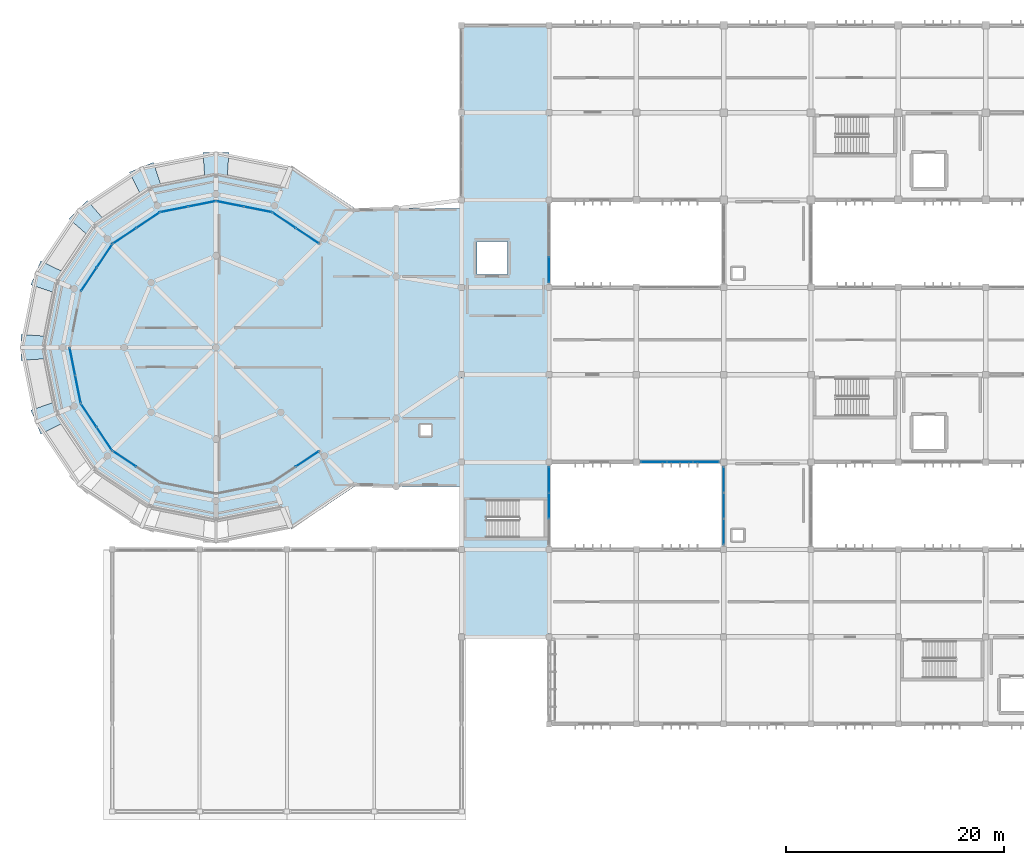
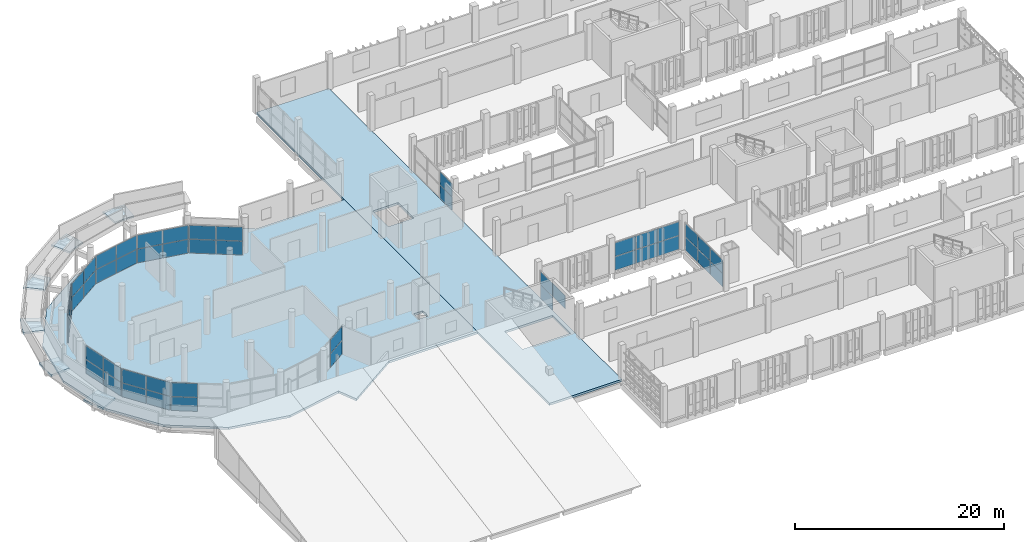
# One storey, part 57 of 83: 49 plates, 8 slabs, 14 elements without a shape of their own.
"""IFC4 building model written with IfcOpenShell, lengths in metres."""

from ifc_helpers import new_model, si_unit, direction, frame, origin, origin_2d, place, context, subcontext, project, spatial, polyline, rectangle, outline, extrude, material, layer, layer_set, type_object, element, aggregate, save


model = new_model("IFC4")

# Units and contexts
model_context = context("Model", 3, precision=1e-05, world=origin(), true_north=direction((0.0, 1.0)))
body_context = subcontext(model_context, "Body", "Model", "MODEL_VIEW")
ifc_project = project(units=[si_unit("LENGTHUNIT", "METRE"), si_unit("AREAUNIT", "SQUARE_METRE"), si_unit("VOLUMEUNIT", "CUBIC_METRE"), si_unit("PLANEANGLEUNIT", "RADIAN"), si_unit("MASSUNIT", "GRAM", prefix="KILO")], contexts=[model_context])

# Site, building, storey
site_placement = place(None, origin())
site = spatial("IfcSite", under=ifc_project, at=site_placement, CompositionType="ELEMENT")
building_placement = place(site_placement, origin())
building = spatial("IfcBuilding", under=site, at=building_placement, Name="Jelvoka-Kovrelna Polytechnic", CompositionType="ELEMENT")
storey_placement = place(building_placement, frame((0.0, 0.0, 13.800048828125)))
storey = spatial("IfcBuildingStorey", under=building, at=storey_placement, Name="L04", CompositionType="ELEMENT", Elevation=13.800048828125)

# Curtain wall, plates
ifc_material_1 = material(Name="Anodised aluminium 6063-T6", Category="aluminium")
ifc_layer_1 = layer(ifc_material_1, 0.159912109375)
ifc_layer_set_1 = layer_set([ifc_layer_1], Name="Anodised aluminium 6063-T6")
curtain_wall_type_1 = type_object("IfcCurtainWallType", Name="CW_Recessed_A", PredefinedType="NOTDEFINED", material=ifc_layer_set_1)
curtain_wall_1_placement = place(storey_placement, origin())
curtain_wall_1 = element("IfcCurtainWall", 1, at=curtain_wall_1_placement, inside=storey, type_object=curtain_wall_type_1, Name="L04 glazed curtain wall 027", PredefinedType="NOTDEFINED")
ifc_material_2 = material(Name="Solar-control double glazing", Category="glass")
ifc_layer_2 = layer(ifc_material_2, 0.028076171875)
ifc_layer_set_2 = layer_set([ifc_layer_2], Name="Solar-control double glazing")
plate_type_1 = type_object("IfcPlateType", Name="Panel_GP-01", PredefinedType="CURTAIN_PANEL", material=ifc_layer_set_2)
plate_1_placement = place(storey_placement, frame((70.385009765625, 32.0, 0.052001953125), z_axis=(0.0, 0.0, 1.0), x_axis=(-1.0, 0.0, 0.0)))
plate_1 = element("IfcPlate", 2, at=plate_1_placement, type_object=plate_type_1, Name="CW-01 panel 1.1", PredefinedType="CURTAIN_PANEL", context=body_context, shape_type="SweptSolid", body=[
    extrude(rectangle(XDim=2.326171875, YDim=0.028076171875, at=origin_2d()), origin(), (0.0, 0.0, 1.0), 1.588623046875),
])
plate_2_placement = place(storey_placement, frame((70.385009765625, 32.0, 1.684326171875), z_axis=(0.0, 0.0, 1.0), x_axis=(-1.0, 0.0, 0.0)))
plate_2 = element("IfcPlate", 3, at=plate_2_placement, type_object=plate_type_1, Name="CW-01 panel 1.2", PredefinedType="CURTAIN_PANEL", context=body_context, shape_type="SweptSolid", body=[
    extrude(rectangle(XDim=2.326171875, YDim=0.028076171875, at=origin_2d()), origin(), (0.0, 0.0, 1.0), 1.588623046875),
])
plate_3_placement = place(storey_placement, frame((68.0, 32.0, 0.052001953125), z_axis=(0.0, 0.0, 1.0), x_axis=(-1.0, 0.0, 0.0)))
plate_3 = element("IfcPlate", 4, at=plate_3_placement, type_object=plate_type_1, Name="CW-01 panel 2.1", PredefinedType="CURTAIN_PANEL", context=body_context, shape_type="SweptSolid", body=[
    extrude(rectangle(XDim=2.356201171875, YDim=0.028076171875, at=origin_2d()), origin(), (0.0, 0.0, 1.0), 1.588623046875),
])
plate_4_placement = place(storey_placement, frame((68.0, 32.0, 1.684326171875), z_axis=(0.0, 0.0, 1.0), x_axis=(-1.0, 0.0, 0.0)))
plate_4 = element("IfcPlate", 5, at=plate_4_placement, type_object=plate_type_1, Name="CW-01 panel 2.2", PredefinedType="CURTAIN_PANEL", context=body_context, shape_type="SweptSolid", body=[
    extrude(rectangle(XDim=2.356201171875, YDim=0.028076171875, at=origin_2d()), origin(), (0.0, 0.0, 1.0), 1.588623046875),
])
plate_5_placement = place(storey_placement, frame((65.614990234375, 32.0, 0.052001953125), z_axis=(0.0, 0.0, 1.0), x_axis=(-1.0, 0.0, 0.0)))
plate_5 = element("IfcPlate", 6, at=plate_5_placement, type_object=plate_type_1, Name="CW-01 panel 3.1", PredefinedType="CURTAIN_PANEL", context=body_context, shape_type="SweptSolid", body=[
    extrude(rectangle(XDim=2.326171875, YDim=0.028076171875, at=origin_2d()), origin(), (0.0, 0.0, 1.0), 1.588623046875),
])
plate_6_placement = place(storey_placement, frame((65.614990234375, 32.0, 1.684326171875), z_axis=(0.0, 0.0, 1.0), x_axis=(-1.0, 0.0, 0.0)))
plate_6 = element("IfcPlate", 7, at=plate_6_placement, type_object=plate_type_1, Name="CW-01 panel 3.2", PredefinedType="CURTAIN_PANEL", context=body_context, shape_type="SweptSolid", body=[
    extrude(rectangle(XDim=2.326171875, YDim=0.028076171875, at=origin_2d()), origin(), (0.0, 0.0, 1.0), 1.588623046875),
])
aggregate(curtain_wall_1, [plate_1, plate_2, plate_3, plate_4, plate_5, plate_6])

ifc_material_3 = material(Name="Anodised aluminium 6063-T6", Category="aluminium")
ifc_layer_3 = layer(ifc_material_3, 0.159912109375)
ifc_layer_set_3 = layer_set([ifc_layer_3], Name="Anodised aluminium 6063-T6")
curtain_wall_type_2 = type_object("IfcCurtainWallType", Name="CW_LinkBridge", PredefinedType="NOTDEFINED", material=ifc_layer_set_3)
curtain_wall_2_placement = place(storey_placement, origin())
curtain_wall_2 = element("IfcCurtainWall", 8, at=curtain_wall_2_placement, inside=storey, type_object=curtain_wall_type_2, Name="L04 glazed curtain wall 136", PredefinedType="NOTDEFINED")
ifc_material_4 = material(Name="Solar-control double glazing", Category="glass")
ifc_layer_4 = layer(ifc_material_4, 0.02392578125)
ifc_layer_set_4 = layer_set([ifc_layer_4], Name="Solar-control double glazing")
plate_type_2 = type_object("IfcPlateType", Name="Panel_GP-04", PredefinedType="CURTAIN_PANEL", material=ifc_layer_set_4)
plate_7_placement = place(storey_placement, frame((72.0, 25.614990234375, 0.052001953125), z_axis=(0.0, 0.0, 1.0), x_axis=(0.0, 1.0, 0.0)))
plate_7 = element("IfcPlate", 9, at=plate_7_placement, type_object=plate_type_2, Name="CW-04 panel 1.1", PredefinedType="CURTAIN_PANEL", context=body_context, shape_type="SweptSolid", body=[
    extrude(rectangle(XDim=2.326171875, YDim=0.02392578125, at=origin_2d()), origin(), (0.0, 0.0, 1.0), 1.53857421875),
])
plate_8_placement = place(storey_placement, frame((72.0, 25.614990234375, 1.634521484375), z_axis=(0.0, 0.0, 1.0), x_axis=(0.0, 1.0, 0.0)))
plate_8 = element("IfcPlate", 10, at=plate_8_placement, type_object=plate_type_2, Name="CW-04 panel 1.2", PredefinedType="CURTAIN_PANEL", context=body_context, shape_type="SweptSolid", body=[
    extrude(rectangle(XDim=2.326171875, YDim=0.02392578125, at=origin_2d()), origin(), (0.0, 0.0, 1.0), 1.53857421875),
])
plate_9_placement = place(storey_placement, frame((72.0, 28.0, 0.052001953125), z_axis=(0.0, 0.0, 1.0), x_axis=(0.0, 1.0, 0.0)))
plate_9 = element("IfcPlate", 11, at=plate_9_placement, type_object=plate_type_2, Name="CW-04 panel 2.1", PredefinedType="CURTAIN_PANEL", context=body_context, shape_type="SweptSolid", body=[
    extrude(rectangle(XDim=2.356201171875, YDim=0.02392578125, at=origin_2d()), origin(), (0.0, 0.0, 1.0), 1.53857421875),
])
plate_10_placement = place(storey_placement, frame((72.0, 28.0, 1.634521484375), z_axis=(0.0, 0.0, 1.0), x_axis=(0.0, 1.0, 0.0)))
plate_10 = element("IfcPlate", 12, at=plate_10_placement, type_object=plate_type_2, Name="CW-04 panel 2.2", PredefinedType="CURTAIN_PANEL", context=body_context, shape_type="SweptSolid", body=[
    extrude(rectangle(XDim=2.356201171875, YDim=0.02392578125, at=origin_2d()), origin(), (0.0, 0.0, 1.0), 1.53857421875),
])
plate_11_placement = place(storey_placement, frame((72.0, 30.385009765625, 0.052001953125), z_axis=(0.0, 0.0, 1.0), x_axis=(0.0, 1.0, 0.0)))
plate_11 = element("IfcPlate", 13, at=plate_11_placement, type_object=plate_type_2, Name="CW-04 panel 3.1", PredefinedType="CURTAIN_PANEL", context=body_context, shape_type="SweptSolid", body=[
    extrude(rectangle(XDim=2.326171875, YDim=0.02392578125, at=origin_2d()), origin(), (0.0, 0.0, 1.0), 1.53857421875),
])
plate_12_placement = place(storey_placement, frame((72.0, 30.385009765625, 1.634521484375), z_axis=(0.0, 0.0, 1.0), x_axis=(0.0, 1.0, 0.0)))
plate_12 = element("IfcPlate", 14, at=plate_12_placement, type_object=plate_type_2, Name="CW-04 panel 3.2", PredefinedType="CURTAIN_PANEL", context=body_context, shape_type="SweptSolid", body=[
    extrude(rectangle(XDim=2.326171875, YDim=0.02392578125, at=origin_2d()), origin(), (0.0, 0.0, 1.0), 1.53857421875),
])
aggregate(curtain_wall_2, [plate_7, plate_8, plate_9, plate_10, plate_11, plate_12])

ifc_material_5 = material(Name="Anodised aluminium 6063-T6", Category="aluminium")
ifc_layer_5 = layer(ifc_material_5, 0.179931640625)
ifc_layer_set_5 = layer_set([ifc_layer_5], Name="Anodised aluminium 6063-T6")
curtain_wall_type_3 = type_object("IfcCurtainWallType", Name="CW_Pavilion", PredefinedType="NOTDEFINED", material=ifc_layer_set_5)
curtain_wall_3_placement = place(storey_placement, origin())
curtain_wall_3 = element("IfcCurtainWall", 15, at=curtain_wall_3_placement, inside=storey, type_object=curtain_wall_type_3, Name="L04 glazed curtain wall 140", PredefinedType="NOTDEFINED")
ifc_material_6 = material(Name="Solar-control double glazing", Category="glass")
ifc_layer_6 = layer(ifc_material_6, 0.030029296875)
ifc_layer_set_6 = layer_set([ifc_layer_6], Name="Solar-control double glazing")
plate_type_3 = type_object("IfcPlateType", Name="Panel_GP-05", PredefinedType="CURTAIN_PANEL", material=ifc_layer_set_6)
plate_13_placement = place(storey_placement, frame((56.0, 30.3837890625, 0.056884765625), z_axis=(0.0, 0.0, 1.0), x_axis=(0.0, -1.0, 0.0)))
plate_13 = element("IfcPlate", 16, at=plate_13_placement, type_object=plate_type_3, Name="CW-05 panel 1.1", PredefinedType="CURTAIN_PANEL", context=body_context, shape_type="SweptSolid", body=[
    extrude(rectangle(XDim=2.318603515625, YDim=0.030029296875, at=origin_2d()), origin(), (0.0, 0.0, 1.0), 1.531005859375),
])
plate_14_placement = place(storey_placement, frame((56.0, 30.3837890625, 1.636962890625), z_axis=(0.0, 0.0, 1.0), x_axis=(0.0, -1.0, 0.0)))
plate_14 = element("IfcPlate", 17, at=plate_14_placement, type_object=plate_type_3, Name="CW-05 panel 1.2", PredefinedType="CURTAIN_PANEL", context=body_context, shape_type="SweptSolid", body=[
    extrude(rectangle(XDim=2.318603515625, YDim=0.030029296875, at=origin_2d()), origin(), (0.0, 0.0, 1.0), 1.531005859375),
])
plate_15_placement = place(storey_placement, frame((56.0, 28.0, 1.636962890625), z_axis=(0.0, 0.0, 1.0), x_axis=(0.0, -1.0, 0.0)))
plate_15 = element("IfcPlate", 18, at=plate_15_placement, type_object=plate_type_3, Name="CW-05 panel 2.2", PredefinedType="CURTAIN_PANEL", context=body_context, shape_type="SweptSolid", body=[
    extrude(rectangle(XDim=2.35107421875, YDim=0.030029296875, at=origin_2d()), origin(), (0.0, 0.0, 1.0), 1.531005859375),
])
aggregate(curtain_wall_3, [plate_13, plate_14, plate_15])

curtain_wall_4_placement = place(storey_placement, origin())
curtain_wall_4 = element("IfcCurtainWall", 19, at=curtain_wall_4_placement, inside=storey, type_object=curtain_wall_type_3, Name="L04 glazed curtain wall 141", PredefinedType="NOTDEFINED")
plate_16_placement = place(storey_placement, frame((56.0, 49.6162109375, 0.056884765625), z_axis=(0.0, 0.0, 1.0), x_axis=(0.0, -1.0, 0.0)))
plate_16 = element("IfcPlate", 20, at=plate_16_placement, type_object=plate_type_3, Name="CW-05 panel 3.1", PredefinedType="CURTAIN_PANEL", context=body_context, shape_type="SweptSolid", body=[
    extrude(rectangle(XDim=2.318603515625, YDim=0.030029296875, at=origin_2d()), origin(), (0.0, 0.0, 1.0), 1.531005859375),
])
plate_17_placement = place(storey_placement, frame((56.0, 49.6162109375, 1.636962890625), z_axis=(0.0, 0.0, 1.0), x_axis=(0.0, -1.0, 0.0)))
plate_17 = element("IfcPlate", 21, at=plate_17_placement, type_object=plate_type_3, Name="CW-05 panel 3.2", PredefinedType="CURTAIN_PANEL", context=body_context, shape_type="SweptSolid", body=[
    extrude(rectangle(XDim=2.318603515625, YDim=0.030029296875, at=origin_2d()), origin(), (0.0, 0.0, 1.0), 1.531005859375),
])
aggregate(curtain_wall_4, [plate_16, plate_17])

curtain_wall_5_placement = place(storey_placement, origin())
curtain_wall_5 = element("IfcCurtainWall", 22, at=curtain_wall_5_placement, inside=storey, type_object=curtain_wall_type_3, Name="L04 glazed curtain wall 244", PredefinedType="NOTDEFINED")
plate_18_placement = place(storey_placement, frame((31.728271484375, 54.144775390625, 0.056884765625), z_axis=(0.0, 0.0, 1.0), x_axis=(0.83146132254, -0.555582639326, 0.0)))
plate_18 = element("IfcPlate", 23, at=plate_18_placement, type_object=plate_type_3, Name="CW-05 panel 1.1", PredefinedType="CURTAIN_PANEL", context=body_context, shape_type="SweptSolid", body=[
    extrude(rectangle(XDim=2.53271484375, YDim=0.030029296875, at=origin_2d()), origin(), (0.0, 0.0, 1.0), 1.593505859375),
])
plate_19_placement = place(storey_placement, frame((31.728271484375, 54.144775390625, 1.699462890625), z_axis=(0.0, 0.0, 1.0), x_axis=(0.83146132254, -0.555582639326, 0.0)))
plate_19 = element("IfcPlate", 24, at=plate_19_placement, type_object=plate_type_3, Name="CW-05 panel 1.2", PredefinedType="CURTAIN_PANEL", context=body_context, shape_type="SweptSolid", body=[
    extrude(rectangle(XDim=2.53271484375, YDim=0.030029296875, at=origin_2d()), origin(), (0.0, 0.0, 1.0), 1.593505859375),
])
plate_20_placement = place(storey_placement, frame((33.875, 52.71044921875, 0.056884765625), z_axis=(0.0, 0.0, 1.0), x_axis=(0.83146132254, -0.555582639326, 0.0)))
plate_20 = element("IfcPlate", 25, at=plate_20_placement, type_object=plate_type_3, Name="CW-05 panel 2.1", PredefinedType="CURTAIN_PANEL", context=body_context, shape_type="SweptSolid", body=[
    extrude(rectangle(XDim=2.53271484375, YDim=0.030029296875, at=origin_2d()), origin(), (0.0, 0.0, 1.0), 1.593505859375),
])
plate_21_placement = place(storey_placement, frame((33.875, 52.71044921875, 1.699462890625), z_axis=(0.0, 0.0, 1.0), x_axis=(0.83146132254, -0.555582639326, 0.0)))
plate_21 = element("IfcPlate", 26, at=plate_21_placement, type_object=plate_type_3, Name="CW-05 panel 2.2", PredefinedType="CURTAIN_PANEL", context=body_context, shape_type="SweptSolid", body=[
    extrude(rectangle(XDim=2.53271484375, YDim=0.030029296875, at=origin_2d()), origin(), (0.0, 0.0, 1.0), 1.593505859375),
])
aggregate(curtain_wall_5, [plate_18, plate_19, plate_20, plate_21])

curtain_wall_6_placement = place(storey_placement, origin())
curtain_wall_6 = element("IfcCurtainWall", 27, at=curtain_wall_6_placement, inside=storey, type_object=curtain_wall_type_3, Name="L04 glazed curtain wall 245", PredefinedType="NOTDEFINED")
plate_22_placement = place(storey_placement, frame((26.7978515625, 55.641845703125, 0.056884765625), z_axis=(0.0, 0.0, 1.0), x_axis=(0.980786108197, -0.195086160371, 0.0)))
plate_22 = element("IfcPlate", 28, at=plate_22_placement, type_object=plate_type_3, Name="CW-05 panel 1.1", PredefinedType="CURTAIN_PANEL", context=body_context, shape_type="SweptSolid", body=[
    extrude(rectangle(XDim=2.532958984375, YDim=0.030029296875, at=origin_2d()), origin(), (0.0, 0.0, 1.0), 1.593505859375),
])
plate_23_placement = place(storey_placement, frame((26.7978515625, 55.641845703125, 1.699462890625), z_axis=(0.0, 0.0, 1.0), x_axis=(0.980786108197, -0.195086160371, 0.0)))
plate_23 = element("IfcPlate", 29, at=plate_23_placement, type_object=plate_type_3, Name="CW-05 panel 1.2", PredefinedType="CURTAIN_PANEL", context=body_context, shape_type="SweptSolid", body=[
    extrude(rectangle(XDim=2.532958984375, YDim=0.030029296875, at=origin_2d()), origin(), (0.0, 0.0, 1.0), 1.593505859375),
])
plate_24_placement = place(storey_placement, frame((29.330078125, 55.13818359375, 0.056884765625), z_axis=(0.0, 0.0, 1.0), x_axis=(0.980786108197, -0.195086160371, 0.0)))
plate_24 = element("IfcPlate", 30, at=plate_24_placement, type_object=plate_type_3, Name="CW-05 panel 2.1", PredefinedType="CURTAIN_PANEL", context=body_context, shape_type="SweptSolid", body=[
    extrude(rectangle(XDim=2.532958984375, YDim=0.030029296875, at=origin_2d()), origin(), (0.0, 0.0, 1.0), 1.593505859375),
])
plate_25_placement = place(storey_placement, frame((29.330078125, 55.13818359375, 1.699462890625), z_axis=(0.0, 0.0, 1.0), x_axis=(0.980786108197, -0.195086160371, 0.0)))
plate_25 = element("IfcPlate", 31, at=plate_25_placement, type_object=plate_type_3, Name="CW-05 panel 2.2", PredefinedType="CURTAIN_PANEL", context=body_context, shape_type="SweptSolid", body=[
    extrude(rectangle(XDim=2.532958984375, YDim=0.030029296875, at=origin_2d()), origin(), (0.0, 0.0, 1.0), 1.593505859375),
])
aggregate(curtain_wall_6, [plate_22, plate_23, plate_24, plate_25])

curtain_wall_7_placement = place(storey_placement, origin())
curtain_wall_7 = element("IfcCurtainWall", 32, at=curtain_wall_7_placement, inside=storey, type_object=curtain_wall_type_3, Name="L04 glazed curtain wall 246", PredefinedType="NOTDEFINED")
plate_26_placement = place(storey_placement, frame((21.669921875, 55.13818359375, 0.056884765625), z_axis=(0.0, 0.0, 1.0), x_axis=(0.980786108197, 0.195086160371, 0.0)))
plate_26 = element("IfcPlate", 33, at=plate_26_placement, type_object=plate_type_3, Name="CW-05 panel 1.1", PredefinedType="CURTAIN_PANEL", context=body_context, shape_type="SweptSolid", body=[
    extrude(rectangle(XDim=2.532958984375, YDim=0.030029296875, at=origin_2d()), origin(), (0.0, 0.0, 1.0), 1.593505859375),
])
plate_27_placement = place(storey_placement, frame((21.669921875, 55.13818359375, 1.699462890625), z_axis=(0.0, 0.0, 1.0), x_axis=(0.980786108197, 0.195086160371, 0.0)))
plate_27 = element("IfcPlate", 34, at=plate_27_placement, type_object=plate_type_3, Name="CW-05 panel 1.2", PredefinedType="CURTAIN_PANEL", context=body_context, shape_type="SweptSolid", body=[
    extrude(rectangle(XDim=2.532958984375, YDim=0.030029296875, at=origin_2d()), origin(), (0.0, 0.0, 1.0), 1.593505859375),
])
plate_28_placement = place(storey_placement, frame((24.2021484375, 55.641845703125, 0.056884765625), z_axis=(0.0, 0.0, 1.0), x_axis=(0.980786108197, 0.195086160371, 0.0)))
plate_28 = element("IfcPlate", 35, at=plate_28_placement, type_object=plate_type_3, Name="CW-05 panel 2.1", PredefinedType="CURTAIN_PANEL", context=body_context, shape_type="SweptSolid", body=[
    extrude(rectangle(XDim=2.532958984375, YDim=0.030029296875, at=origin_2d()), origin(), (0.0, 0.0, 1.0), 1.593505859375),
])
plate_29_placement = place(storey_placement, frame((24.2021484375, 55.641845703125, 1.699462890625), z_axis=(0.0, 0.0, 1.0), x_axis=(0.980786108197, 0.195086160371, 0.0)))
plate_29 = element("IfcPlate", 36, at=plate_29_placement, type_object=plate_type_3, Name="CW-05 panel 2.2", PredefinedType="CURTAIN_PANEL", context=body_context, shape_type="SweptSolid", body=[
    extrude(rectangle(XDim=2.532958984375, YDim=0.030029296875, at=origin_2d()), origin(), (0.0, 0.0, 1.0), 1.593505859375),
])
aggregate(curtain_wall_7, [plate_26, plate_27, plate_28, plate_29])

curtain_wall_8_placement = place(storey_placement, origin())
curtain_wall_8 = element("IfcCurtainWall", 37, at=curtain_wall_8_placement, inside=storey, type_object=curtain_wall_type_3, Name="L04 glazed curtain wall 247", PredefinedType="NOTDEFINED")
plate_30_placement = place(storey_placement, frame((17.125, 52.71044921875, 0.056884765625), z_axis=(0.0, 0.0, 1.0), x_axis=(0.83146132254, 0.555582639326, 0.0)))
plate_30 = element("IfcPlate", 38, at=plate_30_placement, type_object=plate_type_3, Name="CW-05 panel 1.1", PredefinedType="CURTAIN_PANEL", context=body_context, shape_type="SweptSolid", body=[
    extrude(rectangle(XDim=2.53271484375, YDim=0.030029296875, at=origin_2d()), origin(), (0.0, 0.0, 1.0), 1.593505859375),
])
plate_31_placement = place(storey_placement, frame((17.125, 52.71044921875, 1.699462890625), z_axis=(0.0, 0.0, 1.0), x_axis=(0.83146132254, 0.555582639326, 0.0)))
plate_31 = element("IfcPlate", 39, at=plate_31_placement, type_object=plate_type_3, Name="CW-05 panel 1.2", PredefinedType="CURTAIN_PANEL", context=body_context, shape_type="SweptSolid", body=[
    extrude(rectangle(XDim=2.53271484375, YDim=0.030029296875, at=origin_2d()), origin(), (0.0, 0.0, 1.0), 1.593505859375),
])
plate_32_placement = place(storey_placement, frame((19.271728515625, 54.144775390625, 0.056884765625), z_axis=(0.0, 0.0, 1.0), x_axis=(0.83146132254, 0.555582639326, 0.0)))
plate_32 = element("IfcPlate", 40, at=plate_32_placement, type_object=plate_type_3, Name="CW-05 panel 2.1", PredefinedType="CURTAIN_PANEL", context=body_context, shape_type="SweptSolid", body=[
    extrude(rectangle(XDim=2.53271484375, YDim=0.030029296875, at=origin_2d()), origin(), (0.0, 0.0, 1.0), 1.593505859375),
])
plate_33_placement = place(storey_placement, frame((19.271728515625, 54.144775390625, 1.699462890625), z_axis=(0.0, 0.0, 1.0), x_axis=(0.83146132254, 0.555582639326, 0.0)))
plate_33 = element("IfcPlate", 41, at=plate_33_placement, type_object=plate_type_3, Name="CW-05 panel 2.2", PredefinedType="CURTAIN_PANEL", context=body_context, shape_type="SweptSolid", body=[
    extrude(rectangle(XDim=2.53271484375, YDim=0.030029296875, at=origin_2d()), origin(), (0.0, 0.0, 1.0), 1.593505859375),
])
aggregate(curtain_wall_8, [plate_30, plate_31, plate_32, plate_33])

curtain_wall_9_placement = place(storey_placement, origin())
curtain_wall_9 = element("IfcCurtainWall", 42, at=curtain_wall_9_placement, inside=storey, type_object=curtain_wall_type_3, Name="L04 glazed curtain wall 248", PredefinedType="NOTDEFINED")
plate_34_placement = place(storey_placement, frame((13.855224609375, 48.728271484375, 0.056884765625), z_axis=(0.0, 0.0, 1.0), x_axis=(0.555582639326, 0.83146132254, 0.0)))
plate_34 = element("IfcPlate", 43, at=plate_34_placement, type_object=plate_type_3, Name="CW-05 panel 1.1", PredefinedType="CURTAIN_PANEL", context=body_context, shape_type="SweptSolid", body=[
    extrude(rectangle(XDim=2.53271484375, YDim=0.030029296875, at=origin_2d()), origin(), (0.0, 0.0, 1.0), 1.593505859375),
])
plate_35_placement = place(storey_placement, frame((13.855224609375, 48.728271484375, 1.699462890625), z_axis=(0.0, 0.0, 1.0), x_axis=(0.555582639326, 0.83146132254, 0.0)))
plate_35 = element("IfcPlate", 44, at=plate_35_placement, type_object=plate_type_3, Name="CW-05 panel 1.2", PredefinedType="CURTAIN_PANEL", context=body_context, shape_type="SweptSolid", body=[
    extrude(rectangle(XDim=2.53271484375, YDim=0.030029296875, at=origin_2d()), origin(), (0.0, 0.0, 1.0), 1.593505859375),
])
plate_36_placement = place(storey_placement, frame((15.28955078125, 50.875, 0.056884765625), z_axis=(0.0, 0.0, 1.0), x_axis=(0.555582639326, 0.83146132254, 0.0)))
plate_36 = element("IfcPlate", 45, at=plate_36_placement, type_object=plate_type_3, Name="CW-05 panel 2.1", PredefinedType="CURTAIN_PANEL", context=body_context, shape_type="SweptSolid", body=[
    extrude(rectangle(XDim=2.53271484375, YDim=0.030029296875, at=origin_2d()), origin(), (0.0, 0.0, 1.0), 1.593505859375),
])
plate_37_placement = place(storey_placement, frame((15.28955078125, 50.875, 1.699462890625), z_axis=(0.0, 0.0, 1.0), x_axis=(0.555582639326, 0.83146132254, 0.0)))
plate_37 = element("IfcPlate", 46, at=plate_37_placement, type_object=plate_type_3, Name="CW-05 panel 2.2", PredefinedType="CURTAIN_PANEL", context=body_context, shape_type="SweptSolid", body=[
    extrude(rectangle(XDim=2.53271484375, YDim=0.030029296875, at=origin_2d()), origin(), (0.0, 0.0, 1.0), 1.593505859375),
])
aggregate(curtain_wall_9, [plate_34, plate_35, plate_36, plate_37])

curtain_wall_10_placement = place(storey_placement, origin())
curtain_wall_10 = element("IfcCurtainWall", 47, at=curtain_wall_10_placement, inside=storey, type_object=curtain_wall_type_3, Name="L04 glazed curtain wall 249", PredefinedType="NOTDEFINED")
plate_38_placement = place(storey_placement, frame((12.86181640625, 38.669921875, 0.056884765625), z_axis=(0.0, 0.0, 1.0), x_axis=(-0.195086160371, 0.980786108197, 0.0)))
plate_38 = element("IfcPlate", 48, at=plate_38_placement, type_object=plate_type_3, Name="CW-05 panel 1.1", PredefinedType="CURTAIN_PANEL", context=body_context, shape_type="SweptSolid", body=[
    extrude(rectangle(XDim=2.532958984375, YDim=0.030029296875, at=origin_2d()), origin(), (0.0, 0.0, 1.0), 1.593505859375),
])
plate_39_placement = place(storey_placement, frame((12.86181640625, 38.669921875, 1.699462890625), z_axis=(0.0, 0.0, 1.0), x_axis=(-0.195086160371, 0.980786108197, 0.0)))
plate_39 = element("IfcPlate", 49, at=plate_39_placement, type_object=plate_type_3, Name="CW-05 panel 1.2", PredefinedType="CURTAIN_PANEL", context=body_context, shape_type="SweptSolid", body=[
    extrude(rectangle(XDim=2.532958984375, YDim=0.030029296875, at=origin_2d()), origin(), (0.0, 0.0, 1.0), 1.593505859375),
])
plate_40_placement = place(storey_placement, frame((12.358154296875, 41.2021484375, 0.056884765625), z_axis=(0.0, 0.0, 1.0), x_axis=(-0.195086160371, 0.980786108197, 0.0)))
plate_40 = element("IfcPlate", 50, at=plate_40_placement, type_object=plate_type_3, Name="CW-05 panel 2.1", PredefinedType="CURTAIN_PANEL", context=body_context, shape_type="SweptSolid", body=[
    extrude(rectangle(XDim=2.532958984375, YDim=0.030029296875, at=origin_2d()), origin(), (0.0, 0.0, 1.0), 1.593505859375),
])
plate_41_placement = place(storey_placement, frame((12.358154296875, 41.2021484375, 1.699462890625), z_axis=(0.0, 0.0, 1.0), x_axis=(-0.195086160371, 0.980786108197, 0.0)))
plate_41 = element("IfcPlate", 51, at=plate_41_placement, type_object=plate_type_3, Name="CW-05 panel 2.2", PredefinedType="CURTAIN_PANEL", context=body_context, shape_type="SweptSolid", body=[
    extrude(rectangle(XDim=2.532958984375, YDim=0.030029296875, at=origin_2d()), origin(), (0.0, 0.0, 1.0), 1.593505859375),
])
aggregate(curtain_wall_10, [plate_38, plate_39, plate_40, plate_41])

curtain_wall_11_placement = place(storey_placement, origin())
curtain_wall_11 = element("IfcCurtainWall", 52, at=curtain_wall_11_placement, inside=storey, type_object=curtain_wall_type_3, Name="L04 glazed curtain wall 250", PredefinedType="NOTDEFINED")
plate_42_placement = place(storey_placement, frame((15.28955078125, 34.125, 0.056884765625), z_axis=(0.0, 0.0, 1.0), x_axis=(-0.555582639326, 0.83146132254, 0.0)))
plate_42 = element("IfcPlate", 53, at=plate_42_placement, type_object=plate_type_3, Name="CW-05 panel 1.1", PredefinedType="CURTAIN_PANEL", context=body_context, shape_type="SweptSolid", body=[
    extrude(rectangle(XDim=2.53271484375, YDim=0.030029296875, at=origin_2d()), origin(), (0.0, 0.0, 1.0), 1.593505859375),
])
plate_43_placement = place(storey_placement, frame((15.28955078125, 34.125, 1.699462890625), z_axis=(0.0, 0.0, 1.0), x_axis=(-0.555582639326, 0.83146132254, 0.0)))
plate_43 = element("IfcPlate", 54, at=plate_43_placement, type_object=plate_type_3, Name="CW-05 panel 1.2", PredefinedType="CURTAIN_PANEL", context=body_context, shape_type="SweptSolid", body=[
    extrude(rectangle(XDim=2.53271484375, YDim=0.030029296875, at=origin_2d()), origin(), (0.0, 0.0, 1.0), 1.593505859375),
])
plate_44_placement = place(storey_placement, frame((13.855224609375, 36.271728515625, 0.056884765625), z_axis=(0.0, 0.0, 1.0), x_axis=(-0.555582639326, 0.83146132254, 0.0)))
plate_44 = element("IfcPlate", 55, at=plate_44_placement, type_object=plate_type_3, Name="CW-05 panel 2.1", PredefinedType="CURTAIN_PANEL", context=body_context, shape_type="SweptSolid", body=[
    extrude(rectangle(XDim=2.53271484375, YDim=0.030029296875, at=origin_2d()), origin(), (0.0, 0.0, 1.0), 1.593505859375),
])
plate_45_placement = place(storey_placement, frame((13.855224609375, 36.271728515625, 1.699462890625), z_axis=(0.0, 0.0, 1.0), x_axis=(-0.555582639326, 0.83146132254, 0.0)))
plate_45 = element("IfcPlate", 56, at=plate_45_placement, type_object=plate_type_3, Name="CW-05 panel 2.2", PredefinedType="CURTAIN_PANEL", context=body_context, shape_type="SweptSolid", body=[
    extrude(rectangle(XDim=2.53271484375, YDim=0.030029296875, at=origin_2d()), origin(), (0.0, 0.0, 1.0), 1.593505859375),
])
aggregate(curtain_wall_11, [plate_42, plate_43, plate_44, plate_45])

curtain_wall_12_placement = place(storey_placement, origin())
curtain_wall_12 = element("IfcCurtainWall", 57, at=curtain_wall_12_placement, inside=storey, type_object=curtain_wall_type_3, Name="L04 glazed curtain wall 251", PredefinedType="NOTDEFINED")
plate_46_placement = place(storey_placement, frame((17.125, 32.28955078125, 0.056884765625), z_axis=(0.0, 0.0, 1.0), x_axis=(-0.83146132254, 0.555582639326, 0.0)))
plate_46 = element("IfcPlate", 58, at=plate_46_placement, type_object=plate_type_3, Name="CW-05 panel 2.1", PredefinedType="CURTAIN_PANEL", context=body_context, shape_type="SweptSolid", body=[
    extrude(rectangle(XDim=2.53271484375, YDim=0.030029296875, at=origin_2d()), origin(), (0.0, 0.0, 1.0), 1.593505859375),
])
plate_47_placement = place(storey_placement, frame((17.125, 32.28955078125, 1.699462890625), z_axis=(0.0, 0.0, 1.0), x_axis=(-0.83146132254, 0.555582639326, 0.0)))
plate_47 = element("IfcPlate", 59, at=plate_47_placement, type_object=plate_type_3, Name="CW-05 panel 2.2", PredefinedType="CURTAIN_PANEL", context=body_context, shape_type="SweptSolid", body=[
    extrude(rectangle(XDim=2.53271484375, YDim=0.030029296875, at=origin_2d()), origin(), (0.0, 0.0, 1.0), 1.593505859375),
])
aggregate(curtain_wall_12, [plate_46, plate_47])

curtain_wall_13_placement = place(storey_placement, origin())
curtain_wall_13 = element("IfcCurtainWall", 60, at=curtain_wall_13_placement, inside=storey, type_object=curtain_wall_type_3, Name="L04 glazed curtain wall 254", PredefinedType="NOTDEFINED")
plate_48_placement = place(storey_placement, frame((33.875, 32.28955078125, 0.056884765625), z_axis=(0.0, 0.0, 1.0), x_axis=(-0.83146132254, -0.555582639326, 0.0)))
plate_48 = element("IfcPlate", 61, at=plate_48_placement, type_object=plate_type_3, Name="CW-05 panel 1.1", PredefinedType="CURTAIN_PANEL", context=body_context, shape_type="SweptSolid", body=[
    extrude(rectangle(XDim=2.53271484375, YDim=0.030029296875, at=origin_2d()), origin(), (0.0, 0.0, 1.0), 1.593505859375),
])
plate_49_placement = place(storey_placement, frame((33.875, 32.28955078125, 1.699462890625), z_axis=(0.0, 0.0, 1.0), x_axis=(-0.83146132254, -0.555582639326, 0.0)))
plate_49 = element("IfcPlate", 62, at=plate_49_placement, type_object=plate_type_3, Name="CW-05 panel 1.2", PredefinedType="CURTAIN_PANEL", context=body_context, shape_type="SweptSolid", body=[
    extrude(rectangle(XDim=2.53271484375, YDim=0.030029296875, at=origin_2d()), origin(), (0.0, 0.0, 1.0), 1.593505859375),
])
aggregate(curtain_wall_13, [plate_48, plate_49])

# Slabs
ifc_material_7 = material(Name="Concrete C35/45", Category="concrete")
ifc_layer_7 = layer(ifc_material_7, 0.25)
ifc_layer_set_7 = layer_set([ifc_layer_7], Name="Concrete C35/45")
slab_type_1 = type_object("IfcSlabType", Name="Slab_Floor_250", PredefinedType="FLOOR", material=ifc_layer_set_7)
slab_1_placement = place(storey_placement, frame((0.0, 0.0, -0.25)))
element("IfcSlab", 63, at=slab_1_placement, inside=storey, type_object=slab_type_1, Name="L04 SPINE structural slab", PredefinedType="FLOOR", context=body_context, shape_type="SweptSolid", body=[
    extrude(outline(polyline([(48.0, 16.0), (56.0, 16.0), (56.0, 72.0), (48.0, 72.0), (48.0, 16.0)]), holes=[polyline([(49.39990234375, 49.199951171875), (52.199951171875, 49.199951171875), (52.199951171875, 52.199951171875), (49.39990234375, 52.199951171875), (49.39990234375, 49.199951171875)]), polyline([(50.264892578125, 25.10009765625), (55.60009765625, 25.10009765625), (55.60009765625, 28.5400390625), (50.264892578125, 28.5400390625), (50.264892578125, 25.10009765625)])]), origin(), (0.0, 0.0, 1.0), 0.25),
])
slab_2_placement = place(storey_placement, frame((0.0, 0.0, -0.25)))
element("IfcSlab", 64, at=slab_2_placement, inside=storey, type_object=slab_type_1, Name="L04 rotunda gallery slab", PredefinedType="FLOOR", context=body_context, shape_type="SweptSolid", body=[
    extrude(outline(polyline([(48.0, 29.772216796875), (48.0, 55.227783203125), (38.227783203125, 55.227783203125), (32.38818359375, 59.1298828125), (31.5654296875, 57.1435546875), (25.5, 58.35009765625), (19.4345703125, 57.1435546875), (14.29248046875, 53.70751953125), (10.8564453125, 48.5654296875), (9.64990234375, 42.5), (10.8564453125, 36.4345703125), (14.29248046875, 31.29248046875), (19.4345703125, 27.8564453125), (25.5, 26.64990234375), (31.5654296875, 27.8564453125), (32.38818359375, 25.8701171875), (38.227783203125, 29.772216796875), (48.0, 29.772216796875)]), holes=[polyline([(44.199951171875, 34.39990234375), (45.199951171875, 34.39990234375), (45.199951171875, 35.39990234375), (44.199951171875, 35.39990234375), (44.199951171875, 34.39990234375)])]), origin(), (0.0, 0.0, 1.0), 0.25),
])

# Ramp, slabs
ifc_material_8 = material(Name="Precast concrete C40/50", Category="concrete")
ramp_type = type_object("IfcRampType", Name="Ramp_Accessible_RC", PredefinedType="SPIRAL_RAMP", material=ifc_material_8)
ramp_placement = place(storey_placement, origin())
ramp = element("IfcRamp", 65, at=ramp_placement, inside=storey, type_object=ramp_type, Name="L04 spiral rotunda accessible ramp", PredefinedType="SPIRAL_RAMP")
ifc_material_9 = material(Name="Precast concrete C40/50", Category="concrete")
ifc_layer_8 = layer(ifc_material_9, 0.219970703125)
ifc_layer_set_8 = layer_set([ifc_layer_8], Name="Precast concrete C40/50")
slab_type_2 = type_object("IfcSlabType", Name="Slab_Ramp_Landing_220", PredefinedType="LANDING", material=ifc_layer_set_8)
slab_3_placement = place(storey_placement, frame((0.0, 0.0, 1.4599609375)))
slab_3 = element("IfcSlab", 66, at=slab_3_placement, type_object=slab_type_2, Name="L04 rotunda curved spiral ramp landing L4", PredefinedType="LANDING", context=body_context, shape_type="SweptSolid", body=[
    extrude(outline(polyline([(10.552978515625, 37.440673828125), (8.544921875, 36.760986328125), (9.452880859375, 34.569091796875), (11.353515625, 35.50830078125), (10.552978515625, 37.440673828125)])), origin(), (0.0, 0.0, 1.0), 0.219970703125),
])
slab_4_placement = place(storey_placement, frame((0.0, 0.0, 1.8798828125)))
slab_4 = element("IfcSlab", 67, at=slab_4_placement, type_object=slab_type_2, Name="L04 rotunda curved spiral ramp landing L5", PredefinedType="LANDING", context=body_context, shape_type="SweptSolid", body=[
    extrude(outline(polyline([(9.754638671875, 43.5458984375), (7.639404296875, 43.686279296875), (7.639404296875, 41.313720703125), (9.754638671875, 41.4541015625), (9.754638671875, 43.5458984375)])), origin(), (0.0, 0.0, 1.0), 0.219970703125),
])
slab_5_placement = place(storey_placement, frame((0.0, 0.0, 2.300048828125)))
slab_5 = element("IfcSlab", 68, at=slab_5_placement, type_object=slab_type_2, Name="L04 rotunda curved spiral ramp landing L6", PredefinedType="LANDING", context=body_context, shape_type="SweptSolid", body=[
    extrude(outline(polyline([(11.353515625, 49.49169921875), (9.452880859375, 50.430908203125), (8.544921875, 48.239013671875), (10.552978515625, 47.559326171875), (11.353515625, 49.49169921875)])), origin(), (0.0, 0.0, 1.0), 0.219970703125),
])
slab_6_placement = place(storey_placement, frame((0.0, 0.0, 2.719970703125)))
slab_6 = element("IfcSlab", 69, at=slab_6_placement, type_object=slab_type_2, Name="L04 rotunda curved spiral ramp landing L7", PredefinedType="LANDING", context=body_context, shape_type="SweptSolid", body=[
    extrude(outline(polyline([(15.10595703125, 54.373046875), (13.70947265625, 55.96826171875), (12.03173828125, 54.29052734375), (13.626953125, 52.89404296875), (15.10595703125, 54.373046875)])), origin(), (0.0, 0.0, 1.0), 0.219970703125),
])
slab_7_placement = place(storey_placement, frame((0.0, 0.0, 3.139892578125)))
slab_7 = element("IfcSlab", 70, at=slab_7_placement, type_object=slab_type_2, Name="L04 rotunda curved spiral ramp landing L8", PredefinedType="LANDING", context=body_context, shape_type="SweptSolid", body=[
    extrude(outline(polyline([(20.440673828125, 57.447021484375), (19.760986328125, 59.455078125), (17.569091796875, 58.547119140625), (18.50830078125, 56.646484375), (20.440673828125, 57.447021484375)])), origin(), (0.0, 0.0, 1.0), 0.219970703125),
])
slab_8_placement = place(storey_placement, frame((0.0, 0.0, 3.56005859375)))
slab_8 = element("IfcSlab", 71, at=slab_8_placement, type_object=slab_type_2, Name="L04 rotunda curved spiral ramp landing L9", PredefinedType="LANDING", context=body_context, shape_type="SweptSolid", body=[
    extrude(outline(polyline([(26.5458984375, 58.245361328125), (26.686279296875, 60.360595703125), (24.313720703125, 60.360595703125), (24.4541015625, 58.245361328125), (26.5458984375, 58.245361328125)])), origin(), (0.0, 0.0, 1.0), 0.219970703125),
])
aggregate(ramp, [slab_3, slab_4, slab_5, slab_6, slab_7, slab_8])

save(model, "model.ifc")
